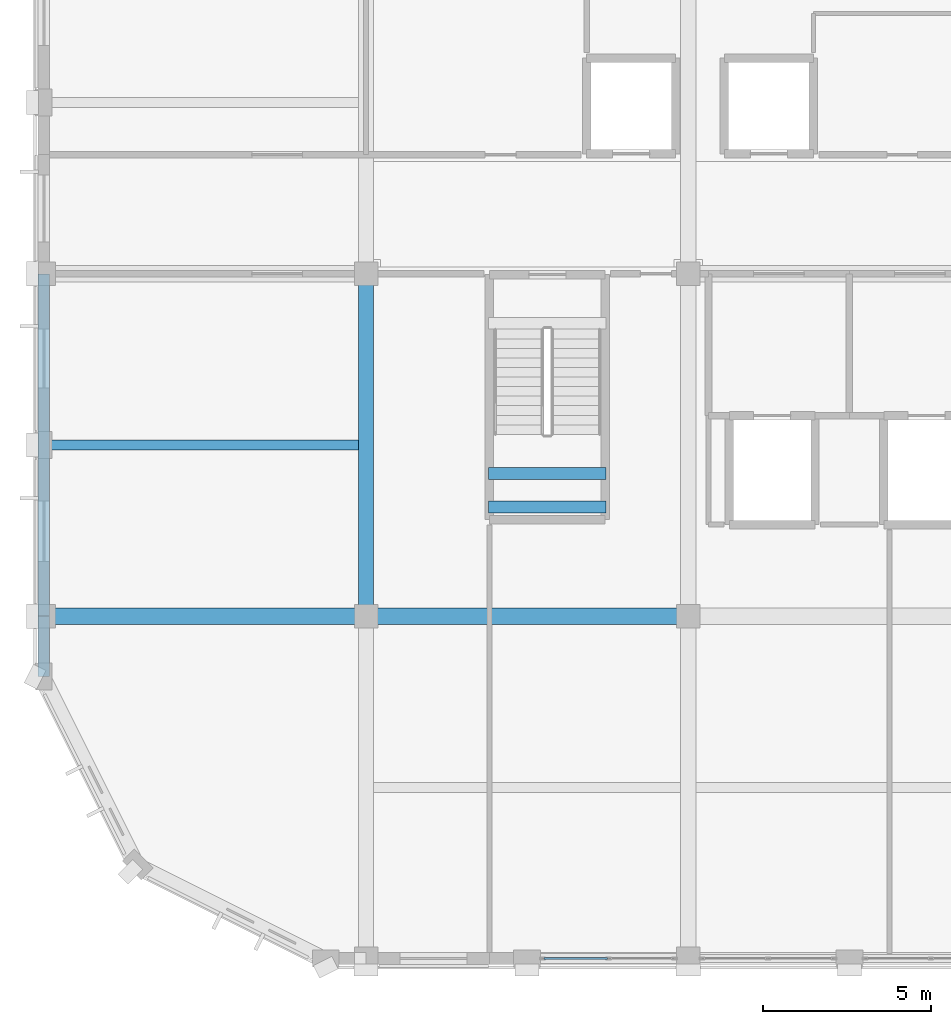
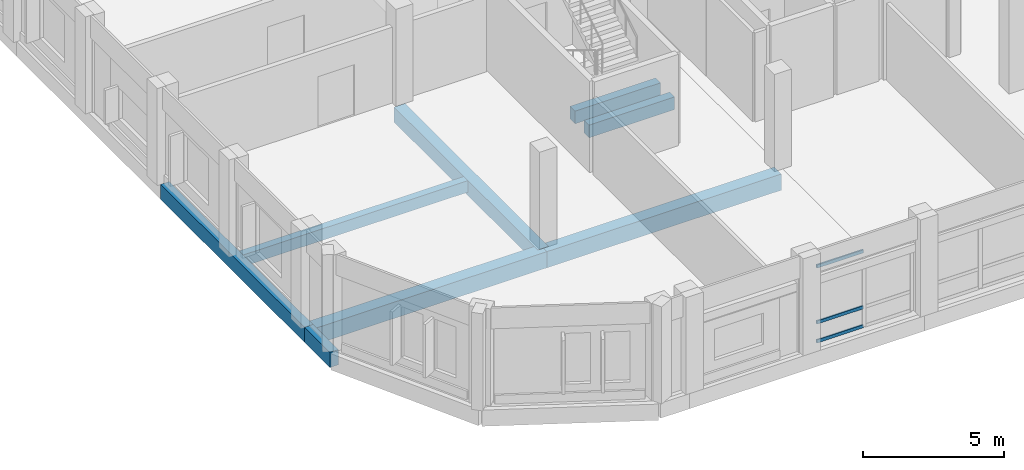
# One storey, part 21 of 185: 8 beams, 3 members, 1 element without a shape of its own.
"""IFC4 building model written with IfcOpenShell, lengths in metres."""

from ifc_helpers import new_model, si_unit, direction, frame, origin, origin_2d, place, context, subcontext, project, spatial, rectangle, hollow_rectangle, extrude, material, material_profile, profile_set, type_object, element, aggregate, save


model = new_model("IFC4")

# Units and contexts
model_context = context("Model", 3, precision=1e-05, world=origin(), true_north=direction((0.0, 1.0)))
body_context = subcontext(model_context, "Body", "Model", "MODEL_VIEW")
ifc_project = project(units=[si_unit("LENGTHUNIT", "METRE"), si_unit("AREAUNIT", "SQUARE_METRE"), si_unit("VOLUMEUNIT", "CUBIC_METRE"), si_unit("PLANEANGLEUNIT", "RADIAN"), si_unit("MASSUNIT", "GRAM", prefix="KILO")], contexts=[model_context])

# Site, building, storey
site_placement = place(None, origin())
site = spatial("IfcSite", under=ifc_project, at=site_placement, CompositionType="ELEMENT")
building_placement = place(site_placement, origin())
building = spatial("IfcBuilding", under=site, at=building_placement, Name="Vondelvale Polytechnic", CompositionType="ELEMENT")
storey_placement = place(building_placement, frame((0.0, 0.0, 9.60009765625)))
storey = spatial("IfcBuildingStorey", under=building, at=storey_placement, Name="L02", CompositionType="ELEMENT", Elevation=9.60009765625)

# Beams
ifc_material_1 = material(Name="Concrete N40 (f'c = 40 MPa)", Category="concrete")
ifc_material_profile_1 = material_profile(ifc_material_1, rectangle(XDim=0.35009765625, YDim=0.550048828125, at=origin_2d()), Name="RC-BM-350x550")
ifc_profile_set_1 = profile_set([ifc_material_profile_1], Name="Concrete N40 (f'c = 40 MPa)")
beam_type_1 = type_object("IfcBeamType", Name="BM-RC350x550", PredefinedType="BEAM", material=ifc_profile_set_1)
for number, where, z_axis, x_axis, name in (
    (1, (13.25, 14.449951171875, 1.625), (1.0, 0.0, 0.0), (0.0, 1.0, 0.0), "L02 STLD B-06"),
    (2, (13.25, 13.449951171875, 1.625), (1.0, 0.0, 0.0), (0.0, 1.0, 0.0), "L02 STLD B-06"),
):
    element("IfcBeam", number, at=place(storey_placement, frame(where, z_axis=z_axis, x_axis=x_axis)), inside=storey, type_object=beam_type_1, Name=name, PredefinedType="BEAM", context=body_context, shape_type="SweptSolid", body=[
        extrude(rectangle(XDim=0.35009765625, YDim=0.550048828125, at=origin_2d()), origin(), (0.0, 0.0, 1.0), 3.5),
    ])
ifc_material_profile_2 = material_profile(ifc_material_1, rectangle(XDim=0.449951171875, YDim=0.64990234375, at=origin_2d()), Name="RC-BM-450x650")
ifc_profile_set_2 = profile_set([ifc_material_profile_2], Name="Concrete N40 (f'c = 40 MPa)")
beam_type_2 = type_object("IfcBeamType", Name="BM-RC450x650", PredefinedType="BEAM", material=ifc_profile_set_2)
beam_1_placement = place(storey_placement, frame((9.60009765625, 10.199951171875, -0.60498046875), z_axis=(0.0, 1.0, 0.0), x_axis=(-1.0, 0.0, 0.0)))
element("IfcBeam", 3, at=beam_1_placement, inside=storey, type_object=beam_type_2, Name="L02 B B-04", PredefinedType="BEAM", context=body_context, shape_type="SweptSolid", body=[
    extrude(rectangle(XDim=0.449951171875, YDim=0.64990234375, at=origin_2d()), origin(), (0.0, 0.0, 1.0), 10.199951171875),
])
ifc_material_profile_3 = material_profile(ifc_material_1, rectangle(XDim=0.5, YDim=0.699951171875, at=origin_2d()), Name="RC-BM-500x700")
ifc_profile_set_3 = profile_set([ifc_material_profile_3], Name="Concrete N40 (f'c = 40 MPa)")
beam_type_3 = type_object("IfcBeamType", Name="BM-RC500x700", PredefinedType="BEAM", material=ifc_profile_set_3)
beam_2_placement = place(storey_placement, frame((0.0, 10.199951171875, -0.630126953125), z_axis=(1.0, 0.0, 0.0), x_axis=(0.0, 1.0, 0.0)))
element("IfcBeam", 4, at=beam_2_placement, inside=storey, type_object=beam_type_3, Name="L02 B B-03", PredefinedType="BEAM", context=body_context, shape_type="SweptSolid", body=[
    extrude(rectangle(XDim=0.5, YDim=0.699951171875, at=origin_2d()), origin(), (0.0, 0.0, 1.0), 9.60009765625),
])
beam_3_placement = place(storey_placement, frame((9.60009765625, 10.199951171875, -0.630126953125), z_axis=(1.0, 0.0, 0.0), x_axis=(0.0, 1.0, 0.0)))
element("IfcBeam", 5, at=beam_3_placement, inside=storey, type_object=beam_type_3, Name="L02 B B-03", PredefinedType="BEAM", context=body_context, shape_type="SweptSolid", body=[
    extrude(rectangle(XDim=0.5, YDim=0.699951171875, at=origin_2d()), origin(), (0.0, 0.0, 1.0), 9.599853515625),
])

# Curtain wall, members
ifc_material_2 = material(Name="Anodised extruded aluminium 6063-T6", Category="aluminium")
curtain_wall_type = type_object("IfcCurtainWallType", Name="CW-LIBRARY-BAY", PredefinedType="NOTDEFINED", material=ifc_material_2)
curtain_wall_placement = place(storey_placement, origin())
curtain_wall = element("IfcCurtainWall", 6, at=curtain_wall_placement, inside=storey, type_object=curtain_wall_type, Name="L02 architectural curtain wall CW-02-013", PredefinedType="NOTDEFINED")
ifc_material_profile_4 = material_profile(ifc_material_2, hollow_rectangle(XDim=0.06005859375, YDim=0.139892578125, WallThickness=0.00341796875, at=origin_2d()), Name="CW-TRN-140x60")
ifc_profile_set_4 = profile_set([ifc_material_profile_4], Name="Anodised extruded aluminium 6063-T6")
member_type = type_object("IfcMemberType", Name="CW-TRN-60x140", PredefinedType="USERDEFINED", material=ifc_profile_set_4)
member_1_placement = place(storey_placement, frame((14.89501953125, 0.0, 0.02978515625), z_axis=(1.0, 0.0, 0.0), x_axis=(0.0, 1.0, 0.0)))
member_1 = element("IfcMember", 7, at=member_1_placement, type_object=member_type, Name="CW-02-013 transom 1.1", ObjectType="TRANSOM", PredefinedType="USERDEFINED", context=body_context, shape_type="SweptSolid", body=[
    extrude(hollow_rectangle(XDim=0.06005859375, YDim=0.139892578125, WallThickness=0.00341796875, at=origin_2d()), origin(), (0.0, 0.0, 1.0), 1.8974609375),
])
member_2_placement = place(storey_placement, frame((14.89501953125, 0.0, 0.849853515625), z_axis=(1.0, 0.0, 0.0), x_axis=(0.0, 1.0, 0.0)))
member_2 = element("IfcMember", 8, at=member_2_placement, type_object=member_type, Name="CW-02-013 transom 1.2", ObjectType="TRANSOM", PredefinedType="USERDEFINED", context=body_context, shape_type="SweptSolid", body=[
    extrude(hollow_rectangle(XDim=0.06005859375, YDim=0.139892578125, WallThickness=0.00341796875, at=origin_2d()), origin(), (0.0, 0.0, 1.0), 1.8974609375),
])
member_3_placement = place(storey_placement, frame((14.89501953125, 0.0, 3.27001953125), z_axis=(1.0, 0.0, 0.0), x_axis=(0.0, 1.0, 0.0)))
member_3 = element("IfcMember", 9, at=member_3_placement, type_object=member_type, Name="CW-02-013 transom 1.3", ObjectType="TRANSOM", PredefinedType="USERDEFINED", context=body_context, shape_type="SweptSolid", body=[
    extrude(hollow_rectangle(XDim=0.06005859375, YDim=0.139892578125, WallThickness=0.00341796875, at=origin_2d()), origin(), (0.0, 0.0, 1.0), 1.8974609375),
])
aggregate(curtain_wall, [member_1, member_2, member_3])

# Beams
ifc_material_profile_5 = material_profile(ifc_material_1, rectangle(XDim=0.300048828125, YDim=0.5, at=origin_2d()), Name="RC-JST-300x500")
ifc_profile_set_5 = profile_set([ifc_material_profile_5], Name="Concrete N40 (f'c = 40 MPa)")
beam_type_4 = type_object("IfcBeamType", Name="JST-RC300x500", PredefinedType="JOIST", material=ifc_profile_set_5)
beam_4_placement = place(storey_placement, frame((0.175048828125, 15.300048828125, -0.530029296875), z_axis=(1.0, 0.0, 0.0), x_axis=(0.0, 1.0, 0.0)))
element("IfcBeam", 10, at=beam_4_placement, inside=storey, type_object=beam_type_4, Name="L02 J J-02", PredefinedType="JOIST", context=body_context, shape_type="SweptSolid", body=[
    extrude(rectangle(XDim=0.300048828125, YDim=0.5, at=origin_2d()), origin(), (0.0, 0.0, 1.0), 9.199951171875),
])
ifc_material_3 = material(Name="Precast concrete N40 (f'c = 40 MPa)", Category="concrete")
ifc_material_profile_6 = material_profile(ifc_material_3, rectangle(XDim=0.35009765625, YDim=0.64990234375, at=origin_2d()), Name="RC-SPN-350x650")
ifc_profile_set_6 = profile_set([ifc_material_profile_6], Name="Precast concrete N40 (f'c = 40 MPa)")
beam_type_5 = type_object("IfcBeamType", Name="SPN-PRE350x650", PredefinedType="SPANDREL", material=ifc_profile_set_6)
beam_5_placement = place(storey_placement, frame((0.0, 8.39990234375, -0.60498046875), z_axis=(0.0, 1.0, 0.0), x_axis=(-1.0, 0.0, 0.0)))
element("IfcBeam", 11, at=beam_5_placement, inside=storey, type_object=beam_type_5, Name="L02 B SP-02", PredefinedType="SPANDREL", context=body_context, shape_type="SweptSolid", body=[
    extrude(rectangle(XDim=0.35009765625, YDim=0.64990234375, at=origin_2d()), origin(), (0.0, 0.0, 1.0), 1.800048828125),
])
beam_6_placement = place(storey_placement, frame((0.0, 10.199951171875, -0.60498046875), z_axis=(0.0, 1.0, 0.0), x_axis=(-1.0, 0.0, 0.0)))
element("IfcBeam", 12, at=beam_6_placement, inside=storey, type_object=beam_type_5, Name="L02 B SP-02", PredefinedType="SPANDREL", context=body_context, shape_type="SweptSolid", body=[
    extrude(rectangle(XDim=0.35009765625, YDim=0.64990234375, at=origin_2d()), origin(), (0.0, 0.0, 1.0), 10.199951171875),
])

save(model, "model.ifc")
